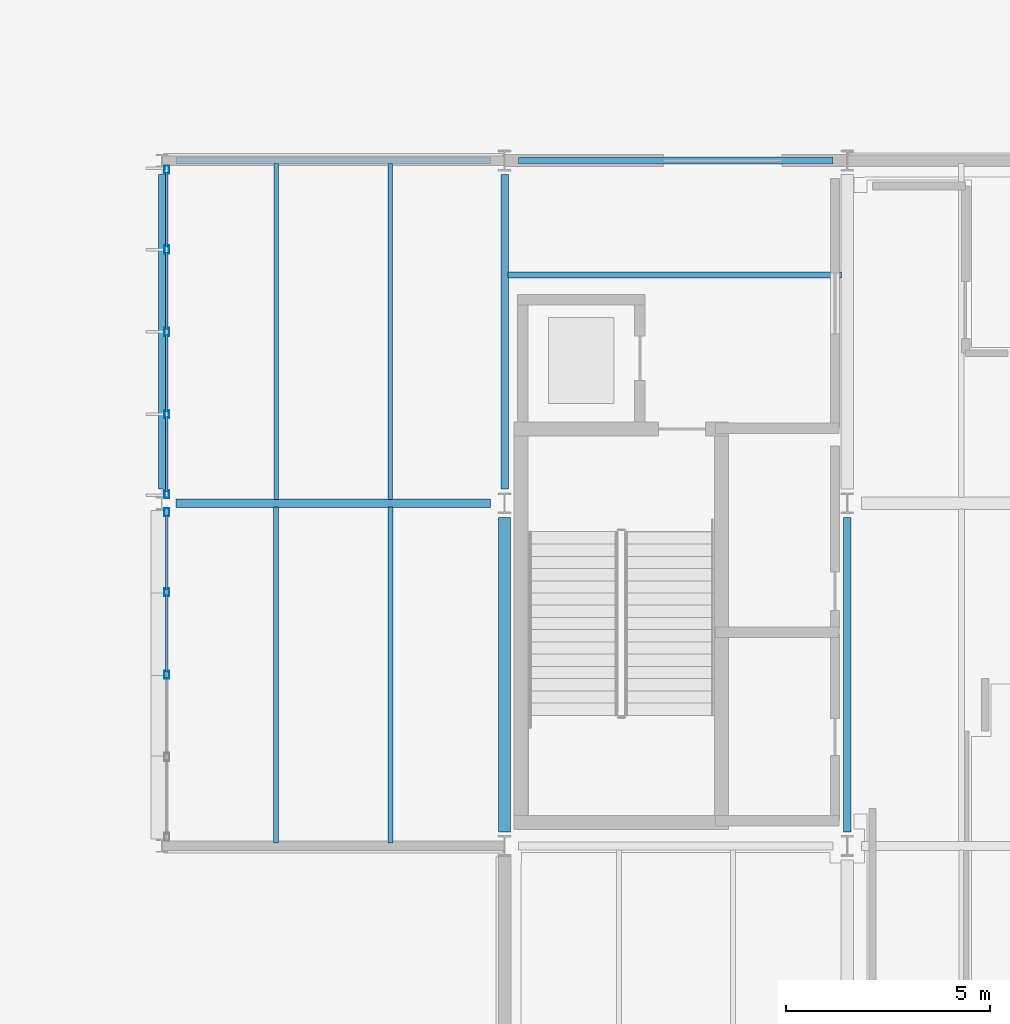
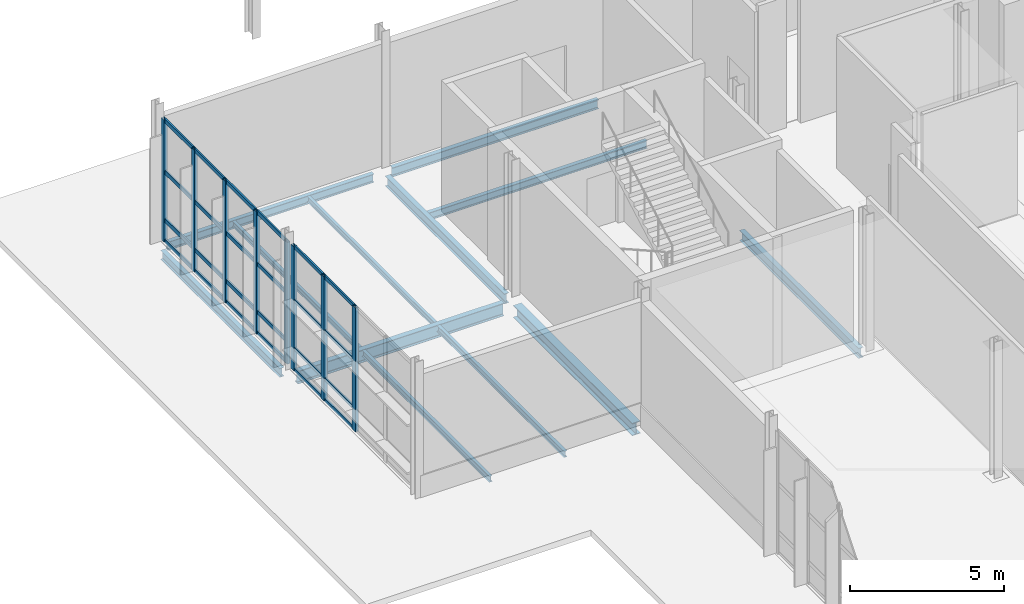
# One storey, part 34 of 124: 32 members, 12 beams, 2 elements without a shape of their own.
"""IFC4 building model written with IfcOpenShell, lengths in metres."""

from ifc_helpers import new_model, si_unit, direction, frame, origin, origin_2d, place, context, subcontext, project, spatial, hollow_rectangle, i_section, extrude, material, material_profile, profile_set, type_object, element, aggregate, save


model = new_model("IFC4")

# Units and contexts
model_context = context("Model", 3, precision=1e-05, world=origin(), true_north=direction((0.0, 1.0)))
body_context = subcontext(model_context, "Body", "Model", "MODEL_VIEW")
ifc_project = project(units=[si_unit("LENGTHUNIT", "METRE"), si_unit("AREAUNIT", "SQUARE_METRE"), si_unit("VOLUMEUNIT", "CUBIC_METRE"), si_unit("PLANEANGLEUNIT", "RADIAN"), si_unit("MASSUNIT", "GRAM", prefix="KILO")], contexts=[model_context])

# Site, building, storey
site_placement = place(None, origin())
site = spatial("IfcSite", under=ifc_project, at=site_placement, CompositionType="ELEMENT")
building_placement = place(site_placement, origin())
building = spatial("IfcBuilding", under=site, at=building_placement, Name="Mersafa Astral City Hall", CompositionType="ELEMENT")
storey_placement = place(building_placement, origin())
storey = spatial("IfcBuildingStorey", under=building, at=storey_placement, Name="L00", CompositionType="ELEMENT", Elevation=0.0)

# Curtain wall, members
ifc_material_1 = material(Name="Anodised bronze aluminium framing", Category="aluminium")
curtain_wall_type_1 = type_object("IfcCurtainWallType", Name="ENV-CW-1", PredefinedType="USERDEFINED", material=ifc_material_1)
curtain_wall_1_placement = place(storey_placement, origin())
curtain_wall_1 = element("IfcCurtainWall", 1, at=curtain_wall_1_placement, inside=storey, type_object=curtain_wall_type_1, Name="L00 Unitised solar curtain wall 36", ObjectType="UNITISED CURTAIN WALL", PredefinedType="USERDEFINED")
ifc_material_profile_1 = material_profile(ifc_material_1, hollow_rectangle(XDim=0.1201171875, YDim=0.199951171875, WallThickness=0.008056640625, at=origin_2d()), Name="RHS 120x200x8")
ifc_profile_set_1 = profile_set([ifc_material_profile_1], Name="Anodised bronze aluminium framing")
member_type_1 = type_object("IfcMemberType", Name="ENV-CW-MUL-2", PredefinedType="MULLION", material=ifc_profile_set_1)
member_1_placement = place(storey_placement, frame((0.1201171875, 92.177978515625, -0.001953125), z_axis=(0.0, 0.0, 1.0), x_axis=(1.0, 0.0, 0.0)))
member_1 = element("IfcMember", 2, at=member_1_placement, type_object=member_type_1, Name="CW-1 mullion 1", PredefinedType="MULLION", context=body_context, shape_type="SweptSolid", body=[
    extrude(hollow_rectangle(XDim=0.1201171875, YDim=0.199951171875, WallThickness=0.008056640625, at=origin_2d()), origin(), (0.0, 0.0, 1.0), 4.81396484375),
])
member_2_placement = place(storey_placement, frame((0.1201171875, 90.218994140625, -0.001953125), z_axis=(0.0, 0.0, 1.0), x_axis=(1.0, 0.0, 0.0)))
member_2 = element("IfcMember", 3, at=member_2_placement, type_object=member_type_1, Name="CW-1 mullion 2", PredefinedType="MULLION", context=body_context, shape_type="SweptSolid", body=[
    extrude(hollow_rectangle(XDim=0.1201171875, YDim=0.199951171875, WallThickness=0.008056640625, at=origin_2d()), origin(), (0.0, 0.0, 1.0), 4.81396484375),
])
member_3_placement = place(storey_placement, frame((0.1201171875, 88.199951171875, -0.001953125), z_axis=(0.0, 0.0, 1.0), x_axis=(1.0, 0.0, 0.0)))
member_3 = element("IfcMember", 4, at=member_3_placement, type_object=member_type_1, Name="CW-1 mullion 3", PredefinedType="MULLION", context=body_context, shape_type="SweptSolid", body=[
    extrude(hollow_rectangle(XDim=0.1201171875, YDim=0.199951171875, WallThickness=0.008056640625, at=origin_2d()), origin(), (0.0, 0.0, 1.0), 4.81396484375),
])
member_4_placement = place(storey_placement, frame((0.1201171875, 86.180908203125, -0.001953125), z_axis=(0.0, 0.0, 1.0), x_axis=(1.0, 0.0, 0.0)))
member_4 = element("IfcMember", 5, at=member_4_placement, type_object=member_type_1, Name="CW-1 mullion 4", PredefinedType="MULLION", context=body_context, shape_type="SweptSolid", body=[
    extrude(hollow_rectangle(XDim=0.1201171875, YDim=0.199951171875, WallThickness=0.008056640625, at=origin_2d()), origin(), (0.0, 0.0, 1.0), 4.81396484375),
])
member_5_placement = place(storey_placement, frame((0.1201171875, 84.221923828125, -0.001953125), z_axis=(0.0, 0.0, 1.0), x_axis=(1.0, 0.0, 0.0)))
member_5 = element("IfcMember", 6, at=member_5_placement, type_object=member_type_1, Name="CW-1 mullion 5", PredefinedType="MULLION", context=body_context, shape_type="SweptSolid", body=[
    extrude(hollow_rectangle(XDim=0.1201171875, YDim=0.199951171875, WallThickness=0.008056640625, at=origin_2d()), origin(), (0.0, 0.0, 1.0), 4.81396484375),
])

curtain_wall_type_2 = type_object("IfcCurtainWallType", Name="ENV-CW-2", PredefinedType="USERDEFINED", material=ifc_material_1)
curtain_wall_2_placement = place(storey_placement, origin())
curtain_wall_2 = element("IfcCurtainWall", 7, at=curtain_wall_2_placement, inside=storey, type_object=curtain_wall_type_2, Name="L00 Unitised solar curtain wall 37", ObjectType="UNITISED CURTAIN WALL", PredefinedType="USERDEFINED")
member_6_placement = place(storey_placement, frame((0.1201171875, 83.778076171875, -0.001953125), z_axis=(0.0, 0.0, 1.0), x_axis=(1.0, 0.0, 0.0)))
member_6 = element("IfcMember", 8, at=member_6_placement, type_object=member_type_1, Name="CW-2 mullion 1", PredefinedType="MULLION", context=body_context, shape_type="SweptSolid", body=[
    extrude(hollow_rectangle(XDim=0.1201171875, YDim=0.199951171875, WallThickness=0.008056640625, at=origin_2d()), origin(), (0.0, 0.0, 1.0), 4.904052734375),
])
member_7_placement = place(storey_placement, frame((0.1201171875, 81.819091796875, -0.001953125), z_axis=(0.0, 0.0, 1.0), x_axis=(1.0, 0.0, 0.0)))
member_7 = element("IfcMember", 9, at=member_7_placement, type_object=member_type_1, Name="CW-2 mullion 2", PredefinedType="MULLION", context=body_context, shape_type="SweptSolid", body=[
    extrude(hollow_rectangle(XDim=0.1201171875, YDim=0.199951171875, WallThickness=0.008056640625, at=origin_2d()), origin(), (0.0, 0.0, 1.0), 4.904052734375),
])
member_8_placement = place(storey_placement, frame((0.1201171875, 79.800048828125, -0.001953125), z_axis=(0.0, 0.0, 1.0), x_axis=(1.0, 0.0, 0.0)))
member_8 = element("IfcMember", 10, at=member_8_placement, type_object=member_type_1, Name="CW-2 mullion 3", PredefinedType="MULLION", context=body_context, shape_type="SweptSolid", body=[
    extrude(hollow_rectangle(XDim=0.1201171875, YDim=0.199951171875, WallThickness=0.008056640625, at=origin_2d()), origin(), (0.0, 0.0, 1.0), 4.904052734375),
])
ifc_material_profile_2 = material_profile(ifc_material_1, hollow_rectangle(XDim=0.06005859375, YDim=0.139892578125, WallThickness=0.00390625, at=origin_2d()), Name="RHS 60x140x4")
ifc_profile_set_2 = profile_set([ifc_material_profile_2], Name="Anodised bronze aluminium framing")
member_type_2 = type_object("IfcMemberType", Name="ENV-CW-TRN-1", PredefinedType="USERDEFINED", material=ifc_profile_set_2)
member_9_placement = place(storey_placement, frame((0.1201171875, 83.718017578125, 0.028076171875), z_axis=(0.0, -1.0, 0.0), x_axis=(1.0, 0.0, 0.0)))
member_9 = element("IfcMember", 11, at=member_9_placement, type_object=member_type_2, Name="CW-2 transom 1.1", ObjectType="TRANSOM", PredefinedType="USERDEFINED", context=body_context, shape_type="SweptSolid", body=[
    extrude(hollow_rectangle(XDim=0.06005859375, YDim=0.139892578125, WallThickness=0.00390625, at=origin_2d()), origin(), (0.0, 0.0, 1.0), 1.839111328125),
])
member_10_placement = place(storey_placement, frame((0.1201171875, 83.718017578125, 0.85009765625), z_axis=(0.0, -1.0, 0.0), x_axis=(1.0, 0.0, 0.0)))
member_10 = element("IfcMember", 12, at=member_10_placement, type_object=member_type_2, Name="CW-2 transom 1.2", ObjectType="TRANSOM", PredefinedType="USERDEFINED", context=body_context, shape_type="SweptSolid", body=[
    extrude(hollow_rectangle(XDim=0.06005859375, YDim=0.139892578125, WallThickness=0.00390625, at=origin_2d()), origin(), (0.0, 0.0, 1.0), 1.839111328125),
])
member_11_placement = place(storey_placement, frame((0.1201171875, 83.718017578125, 2.75), z_axis=(0.0, -1.0, 0.0), x_axis=(1.0, 0.0, 0.0)))
member_11 = element("IfcMember", 13, at=member_11_placement, type_object=member_type_2, Name="CW-2 transom 1.3", ObjectType="TRANSOM", PredefinedType="USERDEFINED", context=body_context, shape_type="SweptSolid", body=[
    extrude(hollow_rectangle(XDim=0.06005859375, YDim=0.139892578125, WallThickness=0.00390625, at=origin_2d()), origin(), (0.0, 0.0, 1.0), 1.839111328125),
])
member_12_placement = place(storey_placement, frame((0.1201171875, 83.718017578125, 4.8720703125), z_axis=(0.0, -1.0, 0.0), x_axis=(1.0, 0.0, 0.0)))
member_12 = element("IfcMember", 14, at=member_12_placement, type_object=member_type_2, Name="CW-2 transom 1.4", ObjectType="TRANSOM", PredefinedType="USERDEFINED", context=body_context, shape_type="SweptSolid", body=[
    extrude(hollow_rectangle(XDim=0.06005859375, YDim=0.139892578125, WallThickness=0.00390625, at=origin_2d()), origin(), (0.0, 0.0, 1.0), 1.839111328125),
])
member_13_placement = place(storey_placement, frame((0.1201171875, 81.759033203125, 0.028076171875), z_axis=(0.0, -1.0, 0.0), x_axis=(1.0, 0.0, 0.0)))
member_13 = element("IfcMember", 15, at=member_13_placement, type_object=member_type_2, Name="CW-2 transom 2.1", ObjectType="TRANSOM", PredefinedType="USERDEFINED", context=body_context, shape_type="SweptSolid", body=[
    extrude(hollow_rectangle(XDim=0.06005859375, YDim=0.139892578125, WallThickness=0.00390625, at=origin_2d()), origin(), (0.0, 0.0, 1.0), 1.89892578125),
])
member_14_placement = place(storey_placement, frame((0.1201171875, 81.759033203125, 0.85009765625), z_axis=(0.0, -1.0, 0.0), x_axis=(1.0, 0.0, 0.0)))
member_14 = element("IfcMember", 16, at=member_14_placement, type_object=member_type_2, Name="CW-2 transom 2.2", ObjectType="TRANSOM", PredefinedType="USERDEFINED", context=body_context, shape_type="SweptSolid", body=[
    extrude(hollow_rectangle(XDim=0.06005859375, YDim=0.139892578125, WallThickness=0.00390625, at=origin_2d()), origin(), (0.0, 0.0, 1.0), 1.89892578125),
])
member_15_placement = place(storey_placement, frame((0.1201171875, 81.759033203125, 2.75), z_axis=(0.0, -1.0, 0.0), x_axis=(1.0, 0.0, 0.0)))
member_15 = element("IfcMember", 17, at=member_15_placement, type_object=member_type_2, Name="CW-2 transom 2.3", ObjectType="TRANSOM", PredefinedType="USERDEFINED", context=body_context, shape_type="SweptSolid", body=[
    extrude(hollow_rectangle(XDim=0.06005859375, YDim=0.139892578125, WallThickness=0.00390625, at=origin_2d()), origin(), (0.0, 0.0, 1.0), 1.89892578125),
])
member_16_placement = place(storey_placement, frame((0.1201171875, 81.759033203125, 4.8720703125), z_axis=(0.0, -1.0, 0.0), x_axis=(1.0, 0.0, 0.0)))
member_16 = element("IfcMember", 18, at=member_16_placement, type_object=member_type_2, Name="CW-2 transom 2.4", ObjectType="TRANSOM", PredefinedType="USERDEFINED", context=body_context, shape_type="SweptSolid", body=[
    extrude(hollow_rectangle(XDim=0.06005859375, YDim=0.139892578125, WallThickness=0.00390625, at=origin_2d()), origin(), (0.0, 0.0, 1.0), 1.89892578125),
])
aggregate(curtain_wall_2, [member_6, member_7, member_8, member_9, member_10, member_11, member_12, member_13, member_14, member_15, member_16])

# Member
ifc_material_profile_3 = material_profile(ifc_material_1, hollow_rectangle(XDim=0.06005859375, YDim=0.159912109375, WallThickness=0.00390625, at=origin_2d()), Name="RHS 60x160x4")
ifc_profile_set_3 = profile_set([ifc_material_profile_3], Name="Anodised bronze aluminium framing")
member_type_3 = type_object("IfcMemberType", Name="ENV-CW-TRN-2", PredefinedType="USERDEFINED", material=ifc_profile_set_3)
member_17_placement = place(storey_placement, frame((0.1201171875, 92.117919921875, 0.028076171875), z_axis=(0.0, -1.0, 0.0), x_axis=(1.0, 0.0, 0.0)))
member_17 = element("IfcMember", 19, at=member_17_placement, type_object=member_type_3, Name="CW-1 transom 1.1", ObjectType="TRANSOM", PredefinedType="USERDEFINED", context=body_context, shape_type="SweptSolid", body=[
    extrude(hollow_rectangle(XDim=0.06005859375, YDim=0.159912109375, WallThickness=0.00390625, at=origin_2d()), origin(), (0.0, 0.0, 1.0), 1.8388671875),
])

member_18_placement = place(storey_placement, frame((0.1201171875, 92.117919921875, 0.85009765625), z_axis=(0.0, -1.0, 0.0), x_axis=(1.0, 0.0, 0.0)))
member_18 = element("IfcMember", 20, at=member_18_placement, type_object=member_type_3, Name="CW-1 transom 1.2", ObjectType="TRANSOM", PredefinedType="USERDEFINED", context=body_context, shape_type="SweptSolid", body=[
    extrude(hollow_rectangle(XDim=0.06005859375, YDim=0.159912109375, WallThickness=0.00390625, at=origin_2d()), origin(), (0.0, 0.0, 1.0), 1.8388671875),
])

member_19_placement = place(storey_placement, frame((0.1201171875, 92.117919921875, 2.75), z_axis=(0.0, -1.0, 0.0), x_axis=(1.0, 0.0, 0.0)))
member_19 = element("IfcMember", 21, at=member_19_placement, type_object=member_type_3, Name="CW-1 transom 1.3", ObjectType="TRANSOM", PredefinedType="USERDEFINED", context=body_context, shape_type="SweptSolid", body=[
    extrude(hollow_rectangle(XDim=0.06005859375, YDim=0.159912109375, WallThickness=0.00390625, at=origin_2d()), origin(), (0.0, 0.0, 1.0), 1.8388671875),
])

member_20_placement = place(storey_placement, frame((0.1201171875, 92.117919921875, 4.781982421875), z_axis=(0.0, -1.0, 0.0), x_axis=(1.0, 0.0, 0.0)))
member_20 = element("IfcMember", 22, at=member_20_placement, type_object=member_type_3, Name="CW-1 transom 1.4", ObjectType="TRANSOM", PredefinedType="USERDEFINED", context=body_context, shape_type="SweptSolid", body=[
    extrude(hollow_rectangle(XDim=0.06005859375, YDim=0.159912109375, WallThickness=0.00390625, at=origin_2d()), origin(), (0.0, 0.0, 1.0), 1.8388671875),
])

member_21_placement = place(storey_placement, frame((0.1201171875, 90.158935546875, 0.028076171875), z_axis=(0.0, -1.0, 0.0), x_axis=(1.0, 0.0, 0.0)))
member_21 = element("IfcMember", 23, at=member_21_placement, type_object=member_type_3, Name="CW-1 transom 2.1", ObjectType="TRANSOM", PredefinedType="USERDEFINED", context=body_context, shape_type="SweptSolid", body=[
    extrude(hollow_rectangle(XDim=0.06005859375, YDim=0.159912109375, WallThickness=0.00390625, at=origin_2d()), origin(), (0.0, 0.0, 1.0), 1.89892578125),
])

member_22_placement = place(storey_placement, frame((0.1201171875, 90.158935546875, 0.85009765625), z_axis=(0.0, -1.0, 0.0), x_axis=(1.0, 0.0, 0.0)))
member_22 = element("IfcMember", 24, at=member_22_placement, type_object=member_type_3, Name="CW-1 transom 2.2", ObjectType="TRANSOM", PredefinedType="USERDEFINED", context=body_context, shape_type="SweptSolid", body=[
    extrude(hollow_rectangle(XDim=0.06005859375, YDim=0.159912109375, WallThickness=0.00390625, at=origin_2d()), origin(), (0.0, 0.0, 1.0), 1.89892578125),
])

member_23_placement = place(storey_placement, frame((0.1201171875, 90.158935546875, 2.75), z_axis=(0.0, -1.0, 0.0), x_axis=(1.0, 0.0, 0.0)))
member_23 = element("IfcMember", 25, at=member_23_placement, type_object=member_type_3, Name="CW-1 transom 2.3", ObjectType="TRANSOM", PredefinedType="USERDEFINED", context=body_context, shape_type="SweptSolid", body=[
    extrude(hollow_rectangle(XDim=0.06005859375, YDim=0.159912109375, WallThickness=0.00390625, at=origin_2d()), origin(), (0.0, 0.0, 1.0), 1.89892578125),
])

member_24_placement = place(storey_placement, frame((0.1201171875, 90.158935546875, 4.781982421875), z_axis=(0.0, -1.0, 0.0), x_axis=(1.0, 0.0, 0.0)))
member_24 = element("IfcMember", 26, at=member_24_placement, type_object=member_type_3, Name="CW-1 transom 2.4", ObjectType="TRANSOM", PredefinedType="USERDEFINED", context=body_context, shape_type="SweptSolid", body=[
    extrude(hollow_rectangle(XDim=0.06005859375, YDim=0.159912109375, WallThickness=0.00390625, at=origin_2d()), origin(), (0.0, 0.0, 1.0), 1.89892578125),
])

member_25_placement = place(storey_placement, frame((0.1201171875, 88.139892578125, 0.028076171875), z_axis=(0.0, -1.0, 0.0), x_axis=(1.0, 0.0, 0.0)))
member_25 = element("IfcMember", 27, at=member_25_placement, type_object=member_type_3, Name="CW-1 transom 3.1", ObjectType="TRANSOM", PredefinedType="USERDEFINED", context=body_context, shape_type="SweptSolid", body=[
    extrude(hollow_rectangle(XDim=0.06005859375, YDim=0.159912109375, WallThickness=0.00390625, at=origin_2d()), origin(), (0.0, 0.0, 1.0), 1.89892578125),
])

member_26_placement = place(storey_placement, frame((0.1201171875, 88.139892578125, 0.85009765625), z_axis=(0.0, -1.0, 0.0), x_axis=(1.0, 0.0, 0.0)))
member_26 = element("IfcMember", 28, at=member_26_placement, type_object=member_type_3, Name="CW-1 transom 3.2", ObjectType="TRANSOM", PredefinedType="USERDEFINED", context=body_context, shape_type="SweptSolid", body=[
    extrude(hollow_rectangle(XDim=0.06005859375, YDim=0.159912109375, WallThickness=0.00390625, at=origin_2d()), origin(), (0.0, 0.0, 1.0), 1.89892578125),
])

member_27_placement = place(storey_placement, frame((0.1201171875, 88.139892578125, 2.75), z_axis=(0.0, -1.0, 0.0), x_axis=(1.0, 0.0, 0.0)))
member_27 = element("IfcMember", 29, at=member_27_placement, type_object=member_type_3, Name="CW-1 transom 3.3", ObjectType="TRANSOM", PredefinedType="USERDEFINED", context=body_context, shape_type="SweptSolid", body=[
    extrude(hollow_rectangle(XDim=0.06005859375, YDim=0.159912109375, WallThickness=0.00390625, at=origin_2d()), origin(), (0.0, 0.0, 1.0), 1.89892578125),
])

member_28_placement = place(storey_placement, frame((0.1201171875, 88.139892578125, 4.781982421875), z_axis=(0.0, -1.0, 0.0), x_axis=(1.0, 0.0, 0.0)))
member_28 = element("IfcMember", 30, at=member_28_placement, type_object=member_type_3, Name="CW-1 transom 3.4", ObjectType="TRANSOM", PredefinedType="USERDEFINED", context=body_context, shape_type="SweptSolid", body=[
    extrude(hollow_rectangle(XDim=0.06005859375, YDim=0.159912109375, WallThickness=0.00390625, at=origin_2d()), origin(), (0.0, 0.0, 1.0), 1.89892578125),
])

member_29_placement = place(storey_placement, frame((0.1201171875, 86.12109375, 0.028076171875), z_axis=(0.0, -1.0, 0.0), x_axis=(1.0, 0.0, 0.0)))
member_29 = element("IfcMember", 31, at=member_29_placement, type_object=member_type_3, Name="CW-1 transom 4.1", ObjectType="TRANSOM", PredefinedType="USERDEFINED", context=body_context, shape_type="SweptSolid", body=[
    extrude(hollow_rectangle(XDim=0.06005859375, YDim=0.159912109375, WallThickness=0.00390625, at=origin_2d()), origin(), (0.0, 0.0, 1.0), 1.839111328125),
])

member_30_placement = place(storey_placement, frame((0.1201171875, 86.12109375, 0.85009765625), z_axis=(0.0, -1.0, 0.0), x_axis=(1.0, 0.0, 0.0)))
member_30 = element("IfcMember", 32, at=member_30_placement, type_object=member_type_3, Name="CW-1 transom 4.2", ObjectType="TRANSOM", PredefinedType="USERDEFINED", context=body_context, shape_type="SweptSolid", body=[
    extrude(hollow_rectangle(XDim=0.06005859375, YDim=0.159912109375, WallThickness=0.00390625, at=origin_2d()), origin(), (0.0, 0.0, 1.0), 1.839111328125),
])

member_31_placement = place(storey_placement, frame((0.1201171875, 86.12109375, 2.75), z_axis=(0.0, -1.0, 0.0), x_axis=(1.0, 0.0, 0.0)))
member_31 = element("IfcMember", 33, at=member_31_placement, type_object=member_type_3, Name="CW-1 transom 4.3", ObjectType="TRANSOM", PredefinedType="USERDEFINED", context=body_context, shape_type="SweptSolid", body=[
    extrude(hollow_rectangle(XDim=0.06005859375, YDim=0.159912109375, WallThickness=0.00390625, at=origin_2d()), origin(), (0.0, 0.0, 1.0), 1.839111328125),
])

member_32_placement = place(storey_placement, frame((0.1201171875, 86.12109375, 4.781982421875), z_axis=(0.0, -1.0, 0.0), x_axis=(1.0, 0.0, 0.0)))
member_32 = element("IfcMember", 34, at=member_32_placement, type_object=member_type_3, Name="CW-1 transom 4.4", ObjectType="TRANSOM", PredefinedType="USERDEFINED", context=body_context, shape_type="SweptSolid", body=[
    extrude(hollow_rectangle(XDim=0.06005859375, YDim=0.159912109375, WallThickness=0.00390625, at=origin_2d()), origin(), (0.0, 0.0, 1.0), 1.839111328125),
])

aggregate(curtain_wall_1, [member_1, member_2, member_3, member_4, member_5, member_17, member_18, member_19, member_20, member_21, member_22, member_23, member_24, member_25, member_26, member_27, member_28, member_29, member_30, member_31, member_32])

# Beams
ifc_material_2 = material(Name="Steel S355", Category="steel")
ifc_material_profile_4 = material_profile(ifc_material_2, i_section(OverallWidth=0.300048828125, OverallDepth=0.489990234375, WebThickness=0.011962890625, FlangeThickness=0.02294921875, FilletRadius=0.027099609375, at=origin_2d()), Name="HEA 500")
ifc_profile_set_4 = profile_set([ifc_material_profile_4], Name="Steel S355")
beam_type_1 = type_object("IfcBeamType", Name="STR-BM-HEA500", PredefinedType="BEAM", material=ifc_profile_set_4)
beam_1_placement = place(storey_placement, frame((8.39990234375, 75.945068359375, -0.4951171875), z_axis=(0.0, 1.0, 0.0), x_axis=(-1.0, 0.0, 0.0)))
element("IfcBeam", 35, at=beam_1_placement, inside=storey, type_object=beam_type_1, Name="L00 Primary girder Y 1-9", PredefinedType="BEAM", context=body_context, shape_type="SweptSolid", body=[
    extrude(i_section(OverallWidth=0.300048828125, OverallDepth=0.489990234375, WebThickness=0.011962890625, FlangeThickness=0.02294921875, FilletRadius=0.027099609375, at=origin_2d()), origin(), (0.0, 0.0, 1.0), 7.7099609375),
])
ifc_material_profile_5 = material_profile(ifc_material_2, i_section(OverallWidth=0.179931640625, OverallDepth=0.39990234375, WebThickness=0.008544921875, FlangeThickness=0.013427734375, FilletRadius=0.02099609375, at=origin_2d()), Name="IPE 400")
ifc_profile_set_5 = profile_set([ifc_material_profile_5], Name="Steel S355")
beam_type_2 = type_object("IfcBeamType", Name="STR-BM-IPE400", PredefinedType="BEAM", material=ifc_profile_set_5)
for number, where, z_axis, x_axis, name in (
    (36, (8.39990234375, 84.344970703125, -0.449951171875), (0.0, 1.0, 0.0), (-1.0, 0.0, 0.0), "L00 Primary girder Y 1-10"),
    (37, (16.800048828125, 75.945068359375, -0.449951171875), (0.0, 1.0, 0.0), (-1.0, 0.0, 0.0), "L00 Primary girder Y 2-9"),
):
    element("IfcBeam", number, at=place(storey_placement, frame(where, z_axis=z_axis, x_axis=x_axis)), inside=storey, type_object=beam_type_2, Name=name, PredefinedType="BEAM", context=body_context, shape_type="SweptSolid", body=[
        extrude(i_section(OverallWidth=0.179931640625, OverallDepth=0.39990234375, WebThickness=0.008544921875, FlangeThickness=0.013427734375, FilletRadius=0.02099609375, at=origin_2d()), origin(), (0.0, 0.0, 1.0), 7.7099609375),
    ])
ifc_material_profile_6 = material_profile(ifc_material_2, i_section(OverallWidth=0.199951171875, OverallDepth=0.5, WebThickness=0.01025390625, FlangeThickness=0.01611328125, FilletRadius=0.02099609375, at=origin_2d()), Name="IPE 500")
ifc_profile_set_6 = profile_set([ifc_material_profile_6], Name="Steel S355")
beam_type_3 = type_object("IfcBeamType", Name="STR-BM-IPE500", PredefinedType="BEAM", material=ifc_profile_set_6)
beam_2_placement = place(storey_placement, frame((0.344970703125, 84.0, -0.5), z_axis=(1.0, 0.0, 0.0), x_axis=(0.0, 1.0, 0.0)))
element("IfcBeam", 38, at=beam_2_placement, inside=storey, type_object=beam_type_3, Name="L00 Primary girder X 0-10", PredefinedType="BEAM", context=body_context, shape_type="SweptSolid", body=[
    extrude(i_section(OverallWidth=0.199951171875, OverallDepth=0.5, WebThickness=0.01025390625, FlangeThickness=0.01611328125, FilletRadius=0.02099609375, at=origin_2d()), origin(), (0.0, 0.0, 1.0), 7.7099609375),
])
ifc_material_profile_7 = material_profile(ifc_material_2, i_section(OverallWidth=0.110107421875, OverallDepth=0.219970703125, WebThickness=0.005859375, FlangeThickness=0.00927734375, FilletRadius=0.011962890625, at=origin_2d()), Name="IPE 220")
ifc_profile_set_7 = profile_set([ifc_material_profile_7], Name="Steel S355")
beam_type_4 = type_object("IfcBeamType", Name="STR-BM-JOIST-IPE220", PredefinedType="JOIST", material=ifc_profile_set_7)
for number, where, z_axis, x_axis, name in (
    (39, (2.800048828125, 84.094970703125, -0.360107421875), (0.0, 1.0, 0.0), (-1.0, 0.0, 0.0), "L00 Composite secondary floor joist 3"),
    (40, (5.60009765625, 84.094970703125, -0.360107421875), (0.0, 1.0, 0.0), (-1.0, 0.0, 0.0), "L00 Composite secondary floor joist 4"),
):
    element("IfcBeam", number, at=place(storey_placement, frame(where, z_axis=z_axis, x_axis=x_axis)), inside=storey, type_object=beam_type_4, Name=name, PredefinedType="JOIST", context=body_context, shape_type="SweptSolid", body=[
        extrude(i_section(OverallWidth=0.110107421875, OverallDepth=0.219970703125, WebThickness=0.005859375, FlangeThickness=0.00927734375, FilletRadius=0.011962890625, at=origin_2d()), origin(), (0.0, 0.0, 1.0), 8.22998046875),
    ])
ifc_material_profile_8 = material_profile(ifc_material_2, i_section(OverallWidth=0.1201171875, OverallDepth=0.239990234375, WebThickness=0.006103515625, FlangeThickness=0.009765625, FilletRadius=0.014892578125, at=origin_2d()), Name="IPE 240")
ifc_profile_set_8 = profile_set([ifc_material_profile_8], Name="Steel S355")
beam_type_5 = type_object("IfcBeamType", Name="STR-BM-JOIST-IPE240", PredefinedType="JOIST", material=ifc_profile_set_8)
for number, where, z_axis, x_axis, name in (
    (41, (2.800048828125, 75.675048828125, -0.3701171875), (0.0, 1.0, 0.0), (-1.0, 0.0, 0.0), "L00 Composite secondary floor joist 1"),
    (42, (5.60009765625, 75.675048828125, -0.3701171875), (0.0, 1.0, 0.0), (-1.0, 0.0, 0.0), "L00 Composite secondary floor joist 2"),
):
    element("IfcBeam", number, at=place(storey_placement, frame(where, z_axis=z_axis, x_axis=x_axis)), inside=storey, type_object=beam_type_5, Name=name, PredefinedType="JOIST", context=body_context, shape_type="SweptSolid", body=[
        extrude(i_section(OverallWidth=0.1201171875, OverallDepth=0.239990234375, WebThickness=0.006103515625, FlangeThickness=0.009765625, FilletRadius=0.014892578125, at=origin_2d()), origin(), (0.0, 0.0, 1.0), 8.22998046875),
    ])
ifc_material_profile_9 = material_profile(ifc_material_2, i_section(OverallWidth=0.14990234375, OverallDepth=0.300048828125, WebThickness=0.007080078125, FlangeThickness=0.0107421875, FilletRadius=0.014892578125, at=origin_2d()), Name="IPE 300")
ifc_profile_set_9 = profile_set([ifc_material_profile_9], Name="Steel S355")
beam_type_6 = type_object("IfcBeamType", Name="STR-BM-JOIST-IPE300", PredefinedType="JOIST", material=ifc_profile_set_9)
beam_3_placement = place(storey_placement, frame((8.485107421875, 89.60009765625, -0.39990234375), z_axis=(1.0, 0.0, 0.0), x_axis=(0.0, 1.0, 0.0)))
element("IfcBeam", 43, at=beam_3_placement, inside=storey, type_object=beam_type_6, Name="L00 Composite secondary floor joist 11", PredefinedType="JOIST", context=body_context, shape_type="SweptSolid", body=[
    extrude(i_section(OverallWidth=0.14990234375, OverallDepth=0.300048828125, WebThickness=0.007080078125, FlangeThickness=0.0107421875, FilletRadius=0.014892578125, at=origin_2d()), origin(), (0.0, 0.0, 1.0), 8.169921875),
])
ifc_material_profile_10 = material_profile(ifc_material_2, i_section(OverallWidth=0.159912109375, OverallDepth=0.330078125, WebThickness=0.007568359375, FlangeThickness=0.011474609375, FilletRadius=0.01806640625, at=origin_2d()), Name="IPE 330")
ifc_profile_set_10 = profile_set([ifc_material_profile_10], Name="Steel S355")
beam_type_7 = type_object("IfcBeamType", Name="STR-BM-SPANDREL-IPE330", PredefinedType="SPANDREL", material=ifc_profile_set_10)
beam_4_placement = place(storey_placement, frame((0.344970703125, 92.39990234375, -0.4150390625), z_axis=(1.0, 0.0, 0.0), x_axis=(0.0, 1.0, 0.0)))
element("IfcBeam", 44, at=beam_4_placement, inside=storey, type_object=beam_type_7, Name="L00 Primary girder X 0-11", PredefinedType="SPANDREL", context=body_context, shape_type="SweptSolid", body=[
    extrude(i_section(OverallWidth=0.159912109375, OverallDepth=0.330078125, WebThickness=0.007568359375, FlangeThickness=0.011474609375, FilletRadius=0.01806640625, at=origin_2d()), origin(), (0.0, 0.0, 1.0), 7.7099609375),
])
ifc_material_profile_11 = material_profile(ifc_material_2, i_section(OverallWidth=0.169921875, OverallDepth=0.360107421875, WebThickness=0.008056640625, FlangeThickness=0.0126953125, FilletRadius=0.01806640625, at=origin_2d()), Name="IPE 360")
ifc_profile_set_11 = profile_set([ifc_material_profile_11], Name="Steel S355")
beam_type_8 = type_object("IfcBeamType", Name="STR-BM-SPANDREL-IPE360", PredefinedType="SPANDREL", material=ifc_profile_set_11)
for number, where, z_axis, x_axis, name in (
    (45, (8.7451171875, 92.39990234375, -0.429931640625), (1.0, 0.0, 0.0), (0.0, 1.0, 0.0), "L00 Primary girder X 1-11"),
    (46, (0.0, 84.344970703125, -0.429931640625), (0.0, 1.0, 0.0), (-1.0, 0.0, 0.0), "L00 Primary girder Y 0-10"),
):
    element("IfcBeam", number, at=place(storey_placement, frame(where, z_axis=z_axis, x_axis=x_axis)), inside=storey, type_object=beam_type_8, Name=name, PredefinedType="SPANDREL", context=body_context, shape_type="SweptSolid", body=[
        extrude(i_section(OverallWidth=0.169921875, OverallDepth=0.360107421875, WebThickness=0.008056640625, FlangeThickness=0.0126953125, FilletRadius=0.01806640625, at=origin_2d()), origin(), (0.0, 0.0, 1.0), 7.7099609375),
    ])

save(model, "model.ifc")
